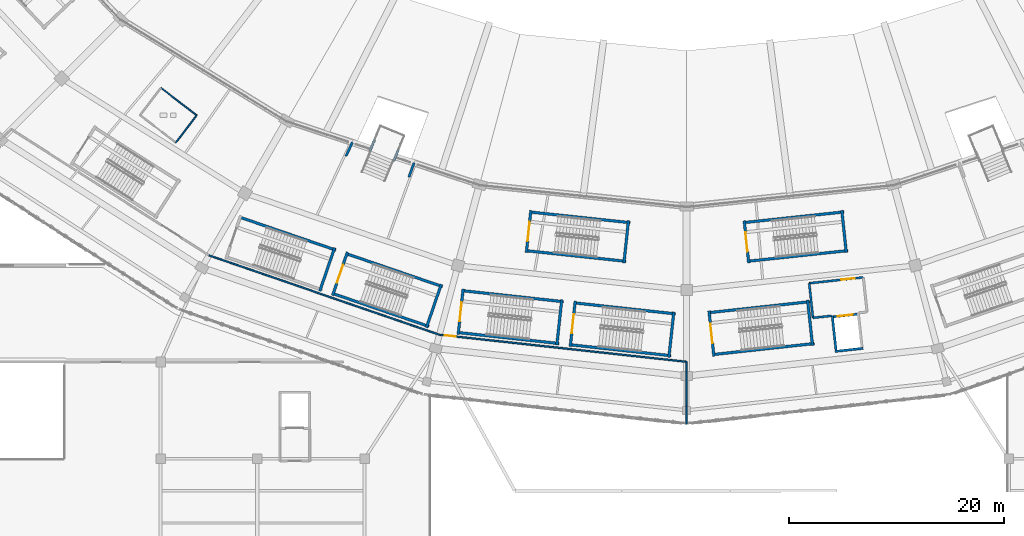
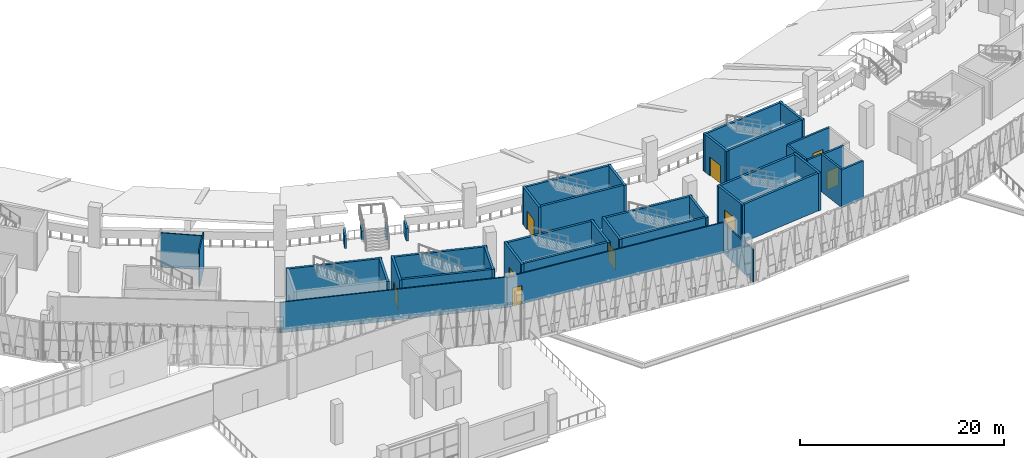
# One storey, part 99 of 183: 43 walls, 9 doors, 9 openings.
"""IFC4 building model written with IfcOpenShell, lengths in metres."""

from ifc_helpers import new_model, si_unit, direction, frame, frame_2d, origin, place, context, subcontext, project, spatial, rectangle, extrude, material, layer, layer_set, type_object, element, fill, save


model = new_model("IFC4")

# Units and contexts
model_context = context("Model", 3, precision=1e-05, world=origin(), true_north=direction((0.0, 1.0)))
body_context = subcontext(model_context, "Body", "Model", "MODEL_VIEW")
ifc_project = project(units=[si_unit("LENGTHUNIT", "METRE"), si_unit("AREAUNIT", "SQUARE_METRE"), si_unit("VOLUMEUNIT", "CUBIC_METRE"), si_unit("PLANEANGLEUNIT", "RADIAN"), si_unit("MASSUNIT", "GRAM", prefix="KILO")], contexts=[model_context])

# Site, building, storey
site_placement = place(None, origin())
site = spatial("IfcSite", under=ifc_project, at=site_placement, CompositionType="ELEMENT")
building_placement = place(site_placement, origin())
building = spatial("IfcBuilding", under=site, at=building_placement, Name="Zevraka Park Crest Stadium", CompositionType="ELEMENT")
storey_placement = place(building_placement, frame((0.0, 0.0, 5.39990234375)))
storey = spatial("IfcBuildingStorey", under=building, at=storey_placement, Name="L01", CompositionType="ELEMENT", Elevation=5.39990234375)

# Walls
ifc_material_1 = material(Name="Autoclaved aerated masonry blockwork", Category="masonry")
ifc_layer_1 = layer(ifc_material_1, 0.199951171875)
ifc_layer_set_1 = layer_set([ifc_layer_1], Name="Autoclaved aerated masonry blockwork")
wall_type_1 = type_object("IfcWallType", Name="IW01", PredefinedType="PARTITIONING", material=ifc_layer_set_1)
wall_1_placement = place(storey_placement, frame((125.47509765625, 22.302001953125, 0.0), z_axis=(0.0, 0.0, 1.0), x_axis=(-0.994135511072, -0.108141507414, 0.0)))
element("IfcWall", 1, at=wall_1_placement, inside=storey, type_object=wall_type_1, Name="Firefighting Lift Lobby Wall IW01 FL04 L01 BACKR", PredefinedType="PARTITIONING", context=body_context, shape_type="SweptSolid", body=[
    extrude(rectangle(XDim=1.72021484375, YDim=0.199951171875, at=frame_2d((0.860107421875, 0.0))), origin(), (0.0, 0.0, 1.0), 4.5),
])
wall_2_placement = place(storey_placement, frame((123.764892578125, 22.115966796875, 0.0), z_axis=(0.0, 0.0, 1.0), x_axis=(-0.108280975823, 0.994120329877, 0.0)))
element("IfcWall", 2, at=wall_2_placement, inside=storey, type_object=wall_type_1, Name="Firefighting Lift Lobby Wall IW01 FL04 L01 RIGHT", PredefinedType="PARTITIONING", context=body_context, shape_type="SweptSolid", body=[
    extrude(rectangle(XDim=3.239990234375, YDim=0.199951171875, at=frame_2d((1.6201171875, 0.0))), origin(), (0.0, 0.0, 1.0), 4.5),
])

# Wall, opening, door
wall_3_placement = place(storey_placement, frame((128.4541015625, 25.885986328125, 0.0), z_axis=(0.0, 0.0, 1.0), x_axis=(-0.994118117986, -0.108301281116, 0.0)))
wall_3 = element("IfcWall", 3, at=wall_3_placement, inside=storey, type_object=wall_type_1, Name="Firefighting Lift Lobby Wall IW01 FL04 L01 FRONT", PredefinedType="PARTITIONING", context=body_context, shape_type="SweptSolid", body=[
    extrude(rectangle(XDim=5.06982421875, YDim=0.199951171875, at=frame_2d((2.534912109375, 0.0))), origin(), (0.0, 0.0, 1.0), 4.5),
])
opening_1_placement = place(wall_3_placement, frame((0.794921875, 0.0, 0.0)))
opening_1 = element("IfcOpeningElement", 4, at=opening_1_placement, cuts=wall_3, Name="Opening D-L01-320", PredefinedType="OPENING", context=body_context, shape_type="SweptSolid", body=[
    extrude(rectangle(XDim=1.25, YDim=2.199951171875, at=frame_2d((0.625, 1.10009765625))), frame((0.0, 0.10986328125, 0.0), z_axis=(0.0, -1.0, 0.0), x_axis=(1.0, 0.0, 0.0)), (0.0, 0.0, 1.0), 0.219970703125),
])
ifc_material_2 = material(Name="Solid-core hardwood timber leaf in steel frame", Category="steel")
door_type_1 = type_object("IfcDoorType", Name="DR07", OperationType="NOTDEFINED", PredefinedType="DOOR", material=ifc_material_2)
door_1_placement = place(opening_1_placement, origin())
door_1 = element("IfcDoor", 5, at=door_1_placement, inside=storey, type_object=door_type_1, Name="Firefighting Lift Lobby FL04 Door D-L01-320", OperationType="SINGLE_SWING_RIGHT", OverallHeight=2.199951171875, OverallWidth=1.25, PredefinedType="DOOR", context=body_context, shape_type="SweptSolid", body=[
    extrude(rectangle(XDim=1.25, YDim=2.199951171875, at=frame_2d((0.625, 1.10009765625))), frame((0.0, 0.02490234375, 0.0), z_axis=(0.0, -1.0, 0.0), x_axis=(1.0, 0.0, 0.0)), (0.0, 0.0, 1.0), 0.050048828125),
])
fill(opening_1, door_1)

# Wall
ifc_material_3 = material(Name="Fire-rated twin-stud acoustic drywall", Category="other")
ifc_layer_2 = layer(ifc_material_3, 0.139892578125)
ifc_layer_set_2 = layer_set([ifc_layer_2], Name="Fire-rated twin-stud acoustic drywall")
wall_type_2 = type_object("IfcWallType", Name="IW03", PredefinedType="PARTITIONING", material=ifc_layer_set_2)
wall_4_placement = place(storey_placement, frame((67.510009765625, 27.930908203125, 0.0), z_axis=(0.0, 0.0, 1.0), x_axis=(0.945509956828, -0.32559318411, 0.0)))
element("IfcWall", 6, at=wall_4_placement, inside=storey, type_object=wall_type_2, Name="Interior Partition IW03 Spectator First-Aid Suite L01", PredefinedType="PARTITIONING", context=body_context, shape_type="SweptSolid", body=[
    extrude(rectangle(XDim=22.69677734375, YDim=0.139892578125, at=frame_2d((11.348388671875, 0.0))), origin(), (0.0, 0.0, 1.0), 3.6650390625),
])

# Wall, opening, door
wall_5_placement = place(storey_placement, frame((88.969970703125, 20.541015625, 0.0), z_axis=(0.0, 0.0, 1.0), x_axis=(0.994061953131, -0.108815593262, 0.0)))
wall_5 = element("IfcWall", 7, at=wall_5_placement, inside=storey, type_object=wall_type_2, Name="Interior Partition IW03 Spectator First-Aid Suite L01", PredefinedType="PARTITIONING", context=body_context, shape_type="SweptSolid", body=[
    extrude(rectangle(XDim=23.16748046875, YDim=0.139892578125, at=frame_2d((11.583740234375, 0.0))), origin(), (0.0, 0.0, 1.0), 3.6650390625),
])
opening_2_placement = place(wall_5_placement, frame((0.506103515625, 0.0, 0.0)))
opening_2 = element("IfcOpeningElement", 8, at=opening_2_placement, cuts=wall_5, Name="Opening D-L01-379", PredefinedType="OPENING", context=body_context, shape_type="SweptSolid", body=[
    extrude(rectangle(XDim=1.02001953125, YDim=2.199951171875, at=frame_2d((0.510009765625, 1.10009765625))), frame((0.0, 0.079833984375, 0.0), z_axis=(0.0, -1.0, 0.0), x_axis=(1.0, 0.0, 0.0)), (0.0, 0.0, 1.0), 0.159912109375),
])
ifc_material_4 = material(Name="Solid-core hardwood timber leaf in steel frame", Category="steel")
door_type_2 = type_object("IfcDoorType", Name="DR21", OperationType="NOTDEFINED", PredefinedType="DOOR", material=ifc_material_4)
door_2_placement = place(opening_2_placement, origin())
door_2 = element("IfcDoor", 9, at=door_2_placement, inside=storey, type_object=door_type_2, Name="Spectator First-Aid Suite Door D-L01-379", OperationType="SINGLE_SWING_LEFT", OverallHeight=2.199951171875, OverallWidth=1.02001953125, PredefinedType="DOOR", context=body_context, shape_type="SweptSolid", body=[
    extrude(rectangle(XDim=1.02001953125, YDim=2.199951171875, at=frame_2d((0.510009765625, 1.10009765625))), frame((0.0, 0.02490234375, 0.0), z_axis=(0.0, -1.0, 0.0), x_axis=(1.0, 0.0, 0.0)), (0.0, 0.0, 1.0), 0.050048828125),
])
fill(opening_2, door_2)

# Walls
wall_6_placement = place(storey_placement, frame((112.0, 18.02001953125, 0.0), z_axis=(0.0, 0.0, 1.0), x_axis=(0.0, -1.0, 0.0)))
element("IfcWall", 10, at=wall_6_placement, inside=storey, type_object=wall_type_2, Name="Interior Partition IW03 Spectator First-Aid Suite L01", PredefinedType="PARTITIONING", context=body_context, shape_type="SweptSolid", body=[
    extrude(rectangle(XDim=0.93505859375, YDim=0.139892578125, at=frame_2d((0.467529296875, 0.0))), origin(), (0.0, 0.0, 1.0), 3.6650390625),
])
wall_7_placement = place(storey_placement, frame((112.0, 17.10009765625, 0.0), z_axis=(0.0, 0.0, 1.0), x_axis=(0.0, -1.0, 0.0)))
element("IfcWall", 11, at=wall_7_placement, inside=storey, type_object=wall_type_2, Name="Interior Partition IW03 Spectator First-Aid Suite L01", PredefinedType="PARTITIONING", context=body_context, shape_type="SweptSolid", body=[
    extrude(rectangle(XDim=3.239990234375, YDim=0.139892578125, at=frame_2d((1.6201171875, 0.0))), origin(), (0.0, 0.0, 1.0), 3.6650390625),
])
wall_8_placement = place(storey_placement, frame((112.0, 13.875, 0.0), z_axis=(0.0, 0.0, 1.0), x_axis=(0.0, -1.0, 0.0)))
element("IfcWall", 12, at=wall_8_placement, inside=storey, type_object=wall_type_2, Name="Interior Partition IW03 Spectator First-Aid Suite L01", PredefinedType="PARTITIONING", context=body_context, shape_type="SweptSolid", body=[
    extrude(rectangle(XDim=1.675048828125, YDim=0.139892578125, at=frame_2d((0.83740234375, 0.0))), origin(), (0.0, 0.0, 1.0), 3.9150390625),
])
ifc_material_5 = material(Name="Moisture-resistant sanitary partition", Category="other")
ifc_layer_3 = layer(ifc_material_5, 0.1201171875)
ifc_layer_set_3 = layer_set([ifc_layer_3], Name="Moisture-resistant sanitary partition")
wall_type_3 = type_object("IfcWallType", Name="IW04", PredefinedType="PARTITIONING", material=ifc_layer_set_3)
wall_9_placement = place(storey_placement, frame((63.032958984375, 43.534912109375, 0.0), z_axis=(0.0, 0.0, 1.0), x_axis=(0.793338706012, -0.608780500298, 0.0)))
element("IfcWall", 13, at=wall_9_placement, inside=storey, type_object=wall_type_3, Name="Sanitary Enclosure Wall IW04 Accessible WC L01-003-1", PredefinedType="PARTITIONING", context=body_context, shape_type="SweptSolid", body=[
    extrude(rectangle(XDim=4.199951171875, YDim=0.1201171875, at=frame_2d((2.10009765625, 0.0))), origin(), (0.0, 0.0, 1.0), 4.087158203125),
])
wall_10_placement = place(storey_placement, frame((66.364990234375, 40.97802734375, 0.0), z_axis=(0.0, 0.0, 1.0), x_axis=(-0.608851172126, -0.793284469911, 0.0)))
element("IfcWall", 14, at=wall_10_placement, inside=storey, type_object=wall_type_3, Name="Sanitary Enclosure Wall IW04 Accessible WC L01-003-2", PredefinedType="PARTITIONING", context=body_context, shape_type="SweptSolid", body=[
    extrude(rectangle(XDim=3.199462890625, YDim=0.1201171875, at=frame_2d((1.599609375, 0.0))), origin(), (0.0, 0.0, 1.0), 4.5),
])
ifc_material_6 = material(Name="Concrete C40/50", Category="concrete")
ifc_layer_4 = layer(ifc_material_6, 0.25)
ifc_layer_set_4 = layer_set([ifc_layer_4], Name="Concrete C40/50")
wall_type_4 = type_object("IfcWallType", Name="SW01", PredefinedType="SHEAR", material=ifc_layer_set_4)
wall_11_placement = place(storey_placement, frame((79.328369140625, 28.423828125, 0.0), z_axis=(0.0, 0.0, 1.0), x_axis=(-0.946064424228, 0.323978556712, 0.0)))
element("IfcWall", 15, at=wall_11_placement, inside=storey, type_object=wall_type_4, Name="Stair Core Shear Wall SW01 ST17 L01 right", PredefinedType="SHEAR", context=body_context, shape_type="SweptSolid", body=[
    extrude(rectangle(XDim=9.550048828125, YDim=0.25, at=frame_2d((4.77490234375, 0.0))), origin(), (0.0, 0.0, 1.0), 4.52001953125),
])
wall_12_placement = place(storey_placement, frame((77.828369140625, 24.614501953125, 0.0), z_axis=(0.0, 0.0, 1.0), x_axis=(0.323971192516, 0.946066946056, 0.0)))
element("IfcWall", 16, at=wall_12_placement, inside=storey, type_object=wall_type_4, Name="Stair Core Shear Wall SW01 ST17 L01 far", PredefinedType="SHEAR", context=body_context, shape_type="SweptSolid", body=[
    extrude(rectangle(XDim=4.260009765625, YDim=0.25, at=frame_2d((2.1298828125, 0.0))), origin(), (0.0, 0.0, 1.0), 4.52001953125),
])
for number, where, z_axis, x_axis, name in (
    (17, (90.61474609375, 20.756591796875, 0.0), (0.0, 0.0, 1.0), (0.994127555169, -0.108214620337, 0.0), "Stair Core Shear Wall SW01 ST18 L01 left"),
    (18, (100.532958984375, 23.6201171875, 0.0), (0.0, 0.0, 1.0), (-0.994127555169, 0.108214620337, 0.0), "Stair Core Shear Wall SW01 ST18 L01 right"),
):
    element("IfcWall", number, at=place(storey_placement, frame(where, z_axis=z_axis, x_axis=x_axis)), inside=storey, type_object=wall_type_4, Name=name, PredefinedType="SHEAR", context=body_context, shape_type="SweptSolid", body=[
        extrude(rectangle(XDim=9.550048828125, YDim=0.25, at=frame_2d((4.77490234375, 0.0))), origin(), (0.0, 0.0, 1.0), 4.52001953125),
    ])

# Wall, opening, door
wall_13_placement = place(storey_placement, frame((91.181640625, 24.80908203125, 0.0), z_axis=(0.0, 0.0, 1.0), x_axis=(-0.108198315262, -0.994129329903, 0.0)))
wall_13 = element("IfcWall", 19, at=wall_13_placement, inside=storey, type_object=wall_type_4, Name="Stair Core Shear Wall SW01 ST18 L01 near", PredefinedType="SHEAR", context=body_context, shape_type="SweptSolid", body=[
    extrude(rectangle(XDim=4.260009765625, YDim=0.25, at=frame_2d((2.1298828125, 0.0))), origin(), (0.0, 0.0, 1.0), 4.52001953125),
])
opening_3_placement = place(wall_13_placement, frame((1.22998046875, 0.0, 0.0)))
opening_3 = element("IfcOpeningElement", 20, at=opening_3_placement, cuts=wall_13, Name="Opening D-L01-106", PredefinedType="OPENING", context=body_context, shape_type="SweptSolid", body=[
    extrude(rectangle(XDim=1.800048828125, YDim=2.25, at=frame_2d((0.89990234375, 1.125))), frame((0.0, 0.135009765625, 0.0), z_axis=(0.0, -1.0, 0.0), x_axis=(1.0, 0.0, 0.0)), (0.0, 0.0, 1.0), 0.27001953125),
])
ifc_material_7 = material(Name="Solid-core hardwood timber leaf in steel frame", Category="steel")
door_type_3 = type_object("IfcDoorType", Name="DR04", OperationType="NOTDEFINED", PredefinedType="DOOR", material=ifc_material_7)
door_3_placement = place(opening_3_placement, origin())
door_3 = element("IfcDoor", 21, at=door_3_placement, inside=storey, type_object=door_type_3, Name="Protected Stair Entry Door ST18 L01", OperationType="DOUBLE_DOOR_SINGLE_SWING", OverallHeight=2.25, OverallWidth=1.800048828125, PredefinedType="DOOR", context=body_context, shape_type="SweptSolid", body=[
    extrude(rectangle(XDim=1.800048828125, YDim=2.25, at=frame_2d((0.89990234375, 1.125))), frame((0.0, 0.02490234375, 0.0), z_axis=(0.0, -1.0, 0.0), x_axis=(1.0, 0.0, 0.0)), (0.0, 0.0, 1.0), 0.050048828125),
])
fill(opening_3, door_3)

# Walls
wall_14_placement = place(storey_placement, frame((99.906494140625, 19.573974609375, 0.0), z_axis=(0.0, 0.0, 1.0), x_axis=(0.108198315262, 0.994129329903, 0.0)))
element("IfcWall", 22, at=wall_14_placement, inside=storey, type_object=wall_type_4, Name="Stair Core Shear Wall SW01 ST18 L01 far", PredefinedType="SHEAR", context=body_context, shape_type="SweptSolid", body=[
    extrude(rectangle(XDim=4.260009765625, YDim=0.25, at=frame_2d((2.1298828125, 0.0))), origin(), (0.0, 0.0, 1.0), 4.52001953125),
])
for number, where, z_axis, x_axis, name in (
    (23, (114.397216796875, 18.689453125, 0.0), (0.0, 0.0, 1.0), (0.994127555169, 0.108214620337, 0.0), "Stair Core Shear Wall SW01 ST19 L01 left"),
    (24, (123.466796875, 23.619873046875, 0.0), (0.0, 0.0, 1.0), (-0.994127555169, -0.108214620337, 0.0), "Stair Core Shear Wall SW01 ST19 L01 right"),
):
    element("IfcWall", number, at=place(storey_placement, frame(where, z_axis=z_axis, x_axis=x_axis)), inside=storey, type_object=wall_type_4, Name=name, PredefinedType="SHEAR", context=body_context, shape_type="SweptSolid", body=[
        extrude(rectangle(XDim=9.550048828125, YDim=0.25, at=frame_2d((4.77490234375, 0.0))), origin(), (0.0, 0.0, 1.0), 4.52001953125),
    ])

# Wall, opening, door
wall_15_placement = place(storey_placement, frame((114.078857421875, 22.76904296875, 0.0), z_axis=(0.0, 0.0, 1.0), x_axis=(0.108198315262, -0.994129329903, 0.0)))
wall_15 = element("IfcWall", 25, at=wall_15_placement, inside=storey, type_object=wall_type_4, Name="Stair Core Shear Wall SW01 ST19 L01 near", PredefinedType="SHEAR", context=body_context, shape_type="SweptSolid", body=[
    extrude(rectangle(XDim=4.260009765625, YDim=0.25, at=frame_2d((2.1298828125, 0.0))), origin(), (0.0, 0.0, 1.0), 4.52001953125),
])
opening_4_placement = place(wall_15_placement, frame((1.22998046875, 0.0, 0.0)))
opening_4 = element("IfcOpeningElement", 26, at=opening_4_placement, cuts=wall_15, Name="Opening D-L01-111", PredefinedType="OPENING", context=body_context, shape_type="SweptSolid", body=[
    extrude(rectangle(XDim=1.800048828125, YDim=2.25, at=frame_2d((0.89990234375, 1.125))), frame((0.0, 0.135009765625, 0.0), z_axis=(0.0, -1.0, 0.0), x_axis=(1.0, 0.0, 0.0)), (0.0, 0.0, 1.0), 0.27001953125),
])
door_4_placement = place(opening_4_placement, origin())
door_4 = element("IfcDoor", 27, at=door_4_placement, inside=storey, type_object=door_type_3, Name="Protected Stair Entry Door ST19 L01", OperationType="DOUBLE_DOOR_SINGLE_SWING", OverallHeight=2.25, OverallWidth=1.800048828125, PredefinedType="DOOR", context=body_context, shape_type="SweptSolid", body=[
    extrude(rectangle(XDim=1.800048828125, YDim=2.25, at=frame_2d((0.89990234375, 1.125))), frame((0.0, 0.02490234375, 0.0), z_axis=(0.0, -1.0, 0.0), x_axis=(1.0, 0.0, 0.0)), (0.0, 0.0, 1.0), 0.050048828125),
])
fill(opening_4, door_4)

# Walls
wall_16_placement = place(storey_placement, frame((123.7255859375, 19.533935546875, 0.0), z_axis=(0.0, 0.0, 1.0), x_axis=(-0.108204479885, 0.994128658944, 0.0)))
element("IfcWall", 28, at=wall_16_placement, inside=storey, type_object=wall_type_4, Name="Stair Core Shear Wall SW01 ST19 L01 far", PredefinedType="SHEAR", context=body_context, shape_type="SweptSolid", body=[
    extrude(rectangle(XDim=4.259765625, YDim=0.25, at=frame_2d((2.1298828125, 0.0))), origin(), (0.0, 0.0, 1.0), 4.52001953125),
])
wall_17_placement = place(storey_placement, frame((78.95751953125, 24.408203125, 0.0), z_axis=(0.0, 0.0, 1.0), x_axis=(0.946072259645, -0.323955675256, 0.0)))
element("IfcWall", 29, at=wall_17_placement, inside=storey, type_object=wall_type_4, Name="Stair Core Shear Wall SW01 ST29 L01 left", PredefinedType="SHEAR", context=body_context, shape_type="SweptSolid", body=[
    extrude(rectangle(XDim=9.5498046875, YDim=0.25, at=frame_2d((4.77490234375, 0.0))), origin(), (0.0, 0.0, 1.0), 4.52001953125),
])
wall_18_placement = place(storey_placement, frame((89.262451171875, 25.02294921875, 0.0), z_axis=(0.0, 0.0, 1.0), x_axis=(-0.946064424228, 0.323978556712, 0.0)))
element("IfcWall", 30, at=wall_18_placement, inside=storey, type_object=wall_type_4, Name="Stair Core Shear Wall SW01 ST29 L01 right", PredefinedType="SHEAR", context=body_context, shape_type="SweptSolid", body=[
    extrude(rectangle(XDim=9.550048828125, YDim=0.25, at=frame_2d((4.77490234375, 0.0))), origin(), (0.0, 0.0, 1.0), 4.52001953125),
])

# Wall, opening, door
wall_19_placement = place(storey_placement, frame((80.40087890625, 28.2373046875, 0.0), z_axis=(0.0, 0.0, 1.0), x_axis=(-0.323971192516, -0.946066946056, 0.0)))
wall_19 = element("IfcWall", 31, at=wall_19_placement, inside=storey, type_object=wall_type_4, Name="Stair Core Shear Wall SW01 ST29 L01 near", PredefinedType="SHEAR", context=body_context, shape_type="SweptSolid", body=[
    extrude(rectangle(XDim=4.260009765625, YDim=0.25, at=frame_2d((2.1298828125, 0.0))), origin(), (0.0, 0.0, 1.0), 4.52001953125),
])
opening_5_placement = place(wall_19_placement, frame((1.22998046875, 0.0, 0.0)))
opening_5 = element("IfcOpeningElement", 32, at=opening_5_placement, cuts=wall_19, Name="Opening D-L01-167", PredefinedType="OPENING", context=body_context, shape_type="SweptSolid", body=[
    extrude(rectangle(XDim=1.800048828125, YDim=2.25, at=frame_2d((0.89990234375, 1.125))), frame((0.0, 0.135009765625, 0.0), z_axis=(0.0, -1.0, 0.0), x_axis=(1.0, 0.0, 0.0)), (0.0, 0.0, 1.0), 0.27001953125),
])
door_5_placement = place(opening_5_placement, origin())
door_5 = element("IfcDoor", 33, at=door_5_placement, inside=storey, type_object=door_type_3, Name="Protected Stair Entry Door ST29 L01", OperationType="DOUBLE_DOOR_SINGLE_SWING", OverallHeight=2.25, OverallWidth=1.800048828125, PredefinedType="DOOR", context=body_context, shape_type="SweptSolid", body=[
    extrude(rectangle(XDim=1.800048828125, YDim=2.25, at=frame_2d((0.89990234375, 1.125))), frame((0.0, 0.02490234375, 0.0), z_axis=(0.0, -1.0, 0.0), x_axis=(1.0, 0.0, 0.0)), (0.0, 0.0, 1.0), 0.050048828125),
])
fill(opening_5, door_5)

# Walls
wall_20_placement = place(storey_placement, frame((87.762451171875, 21.21337890625, 0.0), z_axis=(0.0, 0.0, 1.0), x_axis=(0.323971192516, 0.946066946056, 0.0)))
element("IfcWall", 34, at=wall_20_placement, inside=storey, type_object=wall_type_4, Name="Stair Core Shear Wall SW01 ST29 L01 far", PredefinedType="SHEAR", context=body_context, shape_type="SweptSolid", body=[
    extrude(rectangle(XDim=4.260009765625, YDim=0.25, at=frame_2d((2.1298828125, 0.0))), origin(), (0.0, 0.0, 1.0), 4.52001953125),
])
for number, where, z_axis, x_axis, name in (
    (35, (101.052734375, 19.62060546875, 0.0), (0.0, 0.0, 1.0), (0.994127555169, -0.108214620337, 0.0), "Stair Core Shear Wall SW01 ST30 L01 left"),
    (36, (110.970947265625, 22.484130859375, 0.0), (0.0, 0.0, 1.0), (-0.994127555169, 0.108214620337, 0.0), "Stair Core Shear Wall SW01 ST30 L01 right"),
):
    element("IfcWall", number, at=place(storey_placement, frame(where, z_axis=z_axis, x_axis=x_axis)), inside=storey, type_object=wall_type_4, Name=name, PredefinedType="SHEAR", context=body_context, shape_type="SweptSolid", body=[
        extrude(rectangle(XDim=9.550048828125, YDim=0.25, at=frame_2d((4.77490234375, 0.0))), origin(), (0.0, 0.0, 1.0), 4.52001953125),
    ])

# Wall, opening, door
wall_21_placement = place(storey_placement, frame((101.61962890625, 23.673095703125, 0.0), z_axis=(0.0, 0.0, 1.0), x_axis=(-0.108198315262, -0.994129329903, 0.0)))
wall_21 = element("IfcWall", 37, at=wall_21_placement, inside=storey, type_object=wall_type_4, Name="Stair Core Shear Wall SW01 ST30 L01 near", PredefinedType="SHEAR", context=body_context, shape_type="SweptSolid", body=[
    extrude(rectangle(XDim=4.260009765625, YDim=0.25, at=frame_2d((2.1298828125, 0.0))), origin(), (0.0, 0.0, 1.0), 4.52001953125),
])
opening_6_placement = place(wall_21_placement, frame((1.22998046875, 0.0, 0.0)))
opening_6 = element("IfcOpeningElement", 38, at=opening_6_placement, cuts=wall_21, Name="Opening D-L01-172", PredefinedType="OPENING", context=body_context, shape_type="SweptSolid", body=[
    extrude(rectangle(XDim=1.800048828125, YDim=2.25, at=frame_2d((0.89990234375, 1.125))), frame((0.0, 0.135009765625, 0.0), z_axis=(0.0, -1.0, 0.0), x_axis=(1.0, 0.0, 0.0)), (0.0, 0.0, 1.0), 0.27001953125),
])
door_6_placement = place(opening_6_placement, origin())
door_6 = element("IfcDoor", 39, at=door_6_placement, inside=storey, type_object=door_type_3, Name="Protected Stair Entry Door ST30 L01", OperationType="DOUBLE_DOOR_SINGLE_SWING", OverallHeight=2.25, OverallWidth=1.800048828125, PredefinedType="DOOR", context=body_context, shape_type="SweptSolid", body=[
    extrude(rectangle(XDim=1.800048828125, YDim=2.25, at=frame_2d((0.89990234375, 1.125))), frame((0.0, 0.02490234375, 0.0), z_axis=(0.0, -1.0, 0.0), x_axis=(1.0, 0.0, 0.0)), (0.0, 0.0, 1.0), 0.050048828125),
])
fill(opening_6, door_6)

# Walls
wall_22_placement = place(storey_placement, frame((110.344482421875, 18.43798828125, 0.0), z_axis=(0.0, 0.0, 1.0), x_axis=(0.108198315262, 0.994129329903, 0.0)))
element("IfcWall", 40, at=wall_22_placement, inside=storey, type_object=wall_type_4, Name="Stair Core Shear Wall SW01 ST30 L01 far", PredefinedType="SHEAR", context=body_context, shape_type="SweptSolid", body=[
    extrude(rectangle(XDim=4.260009765625, YDim=0.25, at=frame_2d((2.1298828125, 0.0))), origin(), (0.0, 0.0, 1.0), 4.52001953125),
])
for number, where, z_axis, x_axis, name in (
    (41, (96.9638671875, 28.3798828125, 0.0), (0.0, 0.0, 1.0), (0.994382608826, -0.105845298736, 0.0), "Stair Core Shear Wall SW01 ST41 L01 left"),
    (42, (106.744140625, 30.979248046875, 0.0), (0.0, 0.0, 1.0), (-0.994382608826, 0.105845298736, 0.0), "Stair Core Shear Wall SW01 ST41 L01 right"),
):
    element("IfcWall", number, at=place(storey_placement, frame(where, z_axis=z_axis, x_axis=x_axis)), inside=storey, type_object=wall_type_4, Name=name, PredefinedType="SHEAR", context=body_context, shape_type="SweptSolid", body=[
        extrude(rectangle(XDim=9.449951171875, YDim=0.25, at=frame_2d((4.72509765625, 0.0))), origin(), (0.0, 0.0, 1.0), 4.52001953125),
    ])

# Wall, opening, door
wall_23_placement = place(storey_placement, frame((97.489501953125, 32.135498046875, 0.0), z_axis=(0.0, 0.0, 1.0), x_axis=(-0.105856095603, -0.994381459513, 0.0)))
wall_23 = element("IfcWall", 43, at=wall_23_placement, inside=storey, type_object=wall_type_4, Name="Stair Core Shear Wall SW01 ST41 L01 near", PredefinedType="SHEAR", context=body_context, shape_type="SweptSolid", body=[
    extrude(rectangle(XDim=3.9599609375, YDim=0.25, at=frame_2d((1.97998046875, 0.0))), origin(), (0.0, 0.0, 1.0), 4.52001953125),
])
opening_7_placement = place(wall_23_placement, frame((1.080078125, 0.0, 0.0)))
opening_7 = element("IfcOpeningElement", 44, at=opening_7_placement, cuts=wall_23, Name="Opening D-L01-219", PredefinedType="OPENING", context=body_context, shape_type="SweptSolid", body=[
    extrude(rectangle(XDim=1.800048828125, YDim=2.25, at=frame_2d((0.89990234375, 1.125))), frame((0.0, 0.135009765625, 0.0), z_axis=(0.0, -1.0, 0.0), x_axis=(1.0, 0.0, 0.0)), (0.0, 0.0, 1.0), 0.27001953125),
])
door_7_placement = place(opening_7_placement, origin())
door_7 = element("IfcDoor", 45, at=door_7_placement, inside=storey, type_object=door_type_3, Name="Protected Stair Entry Door ST41 L01", OperationType="DOUBLE_DOOR_SINGLE_SWING", OverallHeight=2.25, OverallWidth=1.800048828125, PredefinedType="DOOR", context=body_context, shape_type="SweptSolid", body=[
    extrude(rectangle(XDim=1.800048828125, YDim=2.25, at=frame_2d((0.89990234375, 1.125))), frame((0.0, 0.02490234375, 0.0), z_axis=(0.0, -1.0, 0.0), x_axis=(1.0, 0.0, 0.0)), (0.0, 0.0, 1.0), 0.050048828125),
])
fill(opening_7, door_7)

# Walls
wall_24_placement = place(storey_placement, frame((106.158935546875, 27.230224609375, 0.0), z_axis=(0.0, 0.0, 1.0), x_axis=(0.105856095603, 0.994381459513, 0.0)))
element("IfcWall", 46, at=wall_24_placement, inside=storey, type_object=wall_type_4, Name="Stair Core Shear Wall SW01 ST41 L01 far", PredefinedType="SHEAR", context=body_context, shape_type="SweptSolid", body=[
    extrude(rectangle(XDim=3.9599609375, YDim=0.25, at=frame_2d((1.97998046875, 0.0))), origin(), (0.0, 0.0, 1.0), 4.52001953125),
])
wall_25_placement = place(storey_placement, frame((117.638916015625, 27.3798828125, 0.0), z_axis=(0.0, 0.0, 1.0), x_axis=(0.994379889371, 0.105870844028, 0.0)))
element("IfcWall", 47, at=wall_25_placement, inside=storey, type_object=wall_type_4, Name="Stair Core Shear Wall SW01 ST42 L01 left", PredefinedType="SHEAR", context=body_context, shape_type="SweptSolid", body=[
    extrude(rectangle(XDim=9.4501953125, YDim=0.25, at=frame_2d((4.72509765625, 0.0))), origin(), (0.0, 0.0, 1.0), 4.52001953125),
])
wall_26_placement = place(storey_placement, frame((126.652587890625, 31.97998046875, 0.0), z_axis=(0.0, 0.0, 1.0), x_axis=(-0.994382608826, -0.105845298736, 0.0)))
element("IfcWall", 48, at=wall_26_placement, inside=storey, type_object=wall_type_4, Name="Stair Core Shear Wall SW01 ST42 L01 right", PredefinedType="SHEAR", context=body_context, shape_type="SweptSolid", body=[
    extrude(rectangle(XDim=9.449951171875, YDim=0.25, at=frame_2d((4.72509765625, 0.0))), origin(), (0.0, 0.0, 1.0), 4.52001953125),
])

# Wall, opening, door
wall_27_placement = place(storey_placement, frame((117.362060546875, 31.161865234375, 0.0), z_axis=(0.0, 0.0, 1.0), x_axis=(0.105856095603, -0.994381459513, 0.0)))
wall_27 = element("IfcWall", 49, at=wall_27_placement, inside=storey, type_object=wall_type_4, Name="Stair Core Shear Wall SW01 ST42 L01 near", PredefinedType="SHEAR", context=body_context, shape_type="SweptSolid", body=[
    extrude(rectangle(XDim=3.9599609375, YDim=0.25, at=frame_2d((1.97998046875, 0.0))), origin(), (0.0, 0.0, 1.0), 4.52001953125),
])
opening_8_placement = place(wall_27_placement, frame((1.080078125, 0.0, 0.0)))
opening_8 = element("IfcOpeningElement", 50, at=opening_8_placement, cuts=wall_27, Name="Opening D-L01-223", PredefinedType="OPENING", context=body_context, shape_type="SweptSolid", body=[
    extrude(rectangle(XDim=1.800048828125, YDim=2.25, at=frame_2d((0.89990234375, 1.125))), frame((0.0, 0.135009765625, 0.0), z_axis=(0.0, -1.0, 0.0), x_axis=(1.0, 0.0, 0.0)), (0.0, 0.0, 1.0), 0.27001953125),
])
door_8_placement = place(opening_8_placement, origin())
door_8 = element("IfcDoor", 51, at=door_8_placement, inside=storey, type_object=door_type_3, Name="Protected Stair Entry Door ST42 L01", OperationType="DOUBLE_DOOR_SINGLE_SWING", OverallHeight=2.25, OverallWidth=1.800048828125, PredefinedType="DOOR", context=body_context, shape_type="SweptSolid", body=[
    extrude(rectangle(XDim=1.800048828125, YDim=2.25, at=frame_2d((0.89990234375, 1.125))), frame((0.0, 0.02490234375, 0.0), z_axis=(0.0, -1.0, 0.0), x_axis=(1.0, 0.0, 0.0)), (0.0, 0.0, 1.0), 0.050048828125),
])
fill(opening_8, door_8)

# Walls
wall_28_placement = place(storey_placement, frame((126.869873046875, 28.191650390625, 0.0), z_axis=(0.0, 0.0, 1.0), x_axis=(-0.105856095603, 0.994381459513, 0.0)))
element("IfcWall", 52, at=wall_28_placement, inside=storey, type_object=wall_type_4, Name="Stair Core Shear Wall SW01 ST42 L01 far", PredefinedType="SHEAR", context=body_context, shape_type="SweptSolid", body=[
    extrude(rectangle(XDim=3.9599609375, YDim=0.25, at=frame_2d((1.97998046875, 0.0))), origin(), (0.0, 0.0, 1.0), 4.52001953125),
])
ifc_material_8 = material(Name="Concrete C40/50", Category="concrete")
ifc_layer_5 = layer(ifc_material_8, 0.219970703125)
ifc_layer_set_5 = layer_set([ifc_layer_5], Name="Concrete C40/50")
wall_type_5 = type_object("IfcWallType", Name="SW02", PredefinedType="SHEAR", material=ifc_layer_set_5)
for number, where, z_axis, x_axis, name in (
    (53, (80.85888671875, 38.449951171875, 0.0), (0.0, 0.0, 1.0), (-0.421223998033, -0.906956638148, 0.0), "Vomitory Portal Raker Pier Wall SW02 16-1"),
    (54, (86.60888671875, 36.548095703125, 0.0), (0.0, 0.0, 1.0), (-0.343450269648, -0.939170864262, 0.0), "Vomitory Portal Raker Pier Wall SW02 16-2"),
):
    element("IfcWall", number, at=place(storey_placement, frame(where, z_axis=z_axis, x_axis=x_axis)), inside=storey, type_object=wall_type_5, Name=name, PredefinedType="SHEAR", context=body_context, shape_type="SweptSolid", body=[
        extrude(rectangle(XDim=1.400390625, YDim=0.219970703125, at=frame_2d((0.7001953125, 0.0))), origin(), (0.0, 0.0, 1.0), 1.510009765625),
    ])
for number, where, z_axis, x_axis, name in (
    (55, (84.718994140625, 36.739990234375, -0.2998046875), (0.0, 0.0, 1.0), (0.382769136873, 0.923844027884, 0.0), "Vomitory Portal Support Wall SW02 VS-06-1"),
    (56, (82.5009765625, 37.657958984375, -0.2998046875), (0.0, 0.0, 1.0), (0.382769136873, 0.923844027884, 0.0), "Vomitory Portal Support Wall SW02 VS-06-2"),
):
    element("IfcWall", number, at=place(storey_placement, frame(where, z_axis=z_axis, x_axis=x_axis)), inside=storey, type_object=wall_type_5, Name=name, PredefinedType="SHEAR", context=body_context, shape_type="SweptSolid", body=[
        extrude(rectangle(XDim=1.13671875, YDim=0.219970703125, at=frame_2d((0.568359375, 0.0))), origin(), (0.0, 0.0, 1.0), 1.31982421875),
    ])
wall_29_placement = place(storey_placement, frame((125.81689453125, 18.989013671875, 0.0), z_axis=(0.0, 0.0, 1.0), x_axis=(0.994077313431, 0.108675180804, 0.0)))
element("IfcWall", 57, at=wall_29_placement, inside=storey, type_object=wall_type_5, Name="Lift Shaft Shear Wall SW02 FL04 L01-1", PredefinedType="SHEAR", context=body_context, shape_type="SweptSolid", body=[
    extrude(rectangle(XDim=2.6396484375, YDim=0.219970703125, at=frame_2d((1.31982421875, 0.0))), origin(), (0.0, 0.0, 1.0), 4.52001953125),
])

# Wall, opening, door
wall_30_placement = place(storey_placement, frame((128.091064453125, 22.47705078125, 0.0), z_axis=(0.0, 0.0, 1.0), x_axis=(-0.994067317545, -0.108766576613, 0.0)))
wall_30 = element("IfcWall", 58, at=wall_30_placement, inside=storey, type_object=wall_type_5, Name="Lift Shaft Shear Wall SW02 FL04 L01-3", PredefinedType="SHEAR", context=body_context, shape_type="SweptSolid", body=[
    extrude(rectangle(XDim=2.6396484375, YDim=0.219970703125, at=frame_2d((1.31982421875, 0.0))), origin(), (0.0, 0.0, 1.0), 4.52001953125),
])
opening_9_placement = place(wall_30_placement, frame((0.6201171875, 0.0, 0.0)))
opening_9 = element("IfcOpeningElement", 59, at=opening_9_placement, cuts=wall_30, Name="Opening LD-FL04-L01", PredefinedType="OPENING", context=body_context, shape_type="SweptSolid", body=[
    extrude(rectangle(XDim=1.39990234375, YDim=2.199951171875, at=frame_2d((0.699951171875, 1.10009765625))), frame((0.0, 0.119873046875, 0.0), z_axis=(0.0, -1.0, 0.0), x_axis=(1.0, 0.0, 0.0)), (0.0, 0.0, 1.0), 0.239990234375),
])
ifc_material_9 = material(Name="Brushed stainless steel lift landing doors", Category="steel")
door_type_4 = type_object("IfcDoorType", Name="LD01", OperationType="NOTDEFINED", PredefinedType="DOOR", material=ifc_material_9)
door_9_placement = place(opening_9_placement, origin())
door_9 = element("IfcDoor", 60, at=door_9_placement, inside=storey, type_object=door_type_4, Name="Lift Sliding Landing Door LD-FL04-L01", OperationType="SLIDING_TO_LEFT", OverallHeight=2.199951171875, OverallWidth=1.39990234375, PredefinedType="DOOR", context=body_context, shape_type="SweptSolid", body=[
    extrude(rectangle(XDim=1.39990234375, YDim=2.199951171875, at=frame_2d((0.699951171875, 1.10009765625))), frame((0.0, 0.02490234375, 0.0), z_axis=(0.0, -1.0, 0.0), x_axis=(1.0, 0.0, 0.0)), (0.0, 0.0, 1.0), 0.050048828125),
])
fill(opening_9, door_9)

# Wall
wall_31_placement = place(storey_placement, frame((125.56396484375, 22.31103515625, 0.0), z_axis=(0.0, 0.0, 1.0), x_axis=(0.108748511736, -0.994069293961, 0.0)))
element("IfcWall", 61, at=wall_31_placement, inside=storey, type_object=wall_type_5, Name="Lift Shaft Shear Wall SW02 FL04 L01-4", PredefinedType="SHEAR", context=body_context, shape_type="SweptSolid", body=[
    extrude(rectangle(XDim=3.439453125, YDim=0.219970703125, at=frame_2d((1.7197265625, 0.0))), origin(), (0.0, 0.0, 1.0), 4.52001953125),
])

save(model, "model.ifc")
